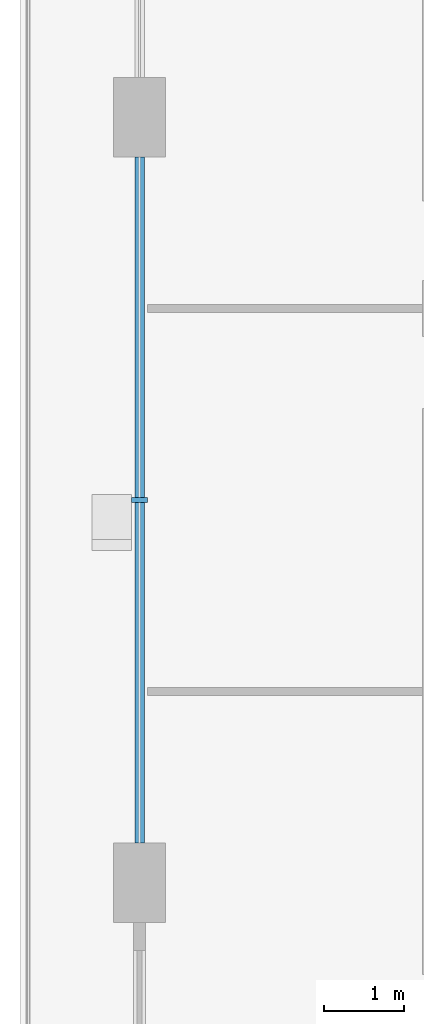
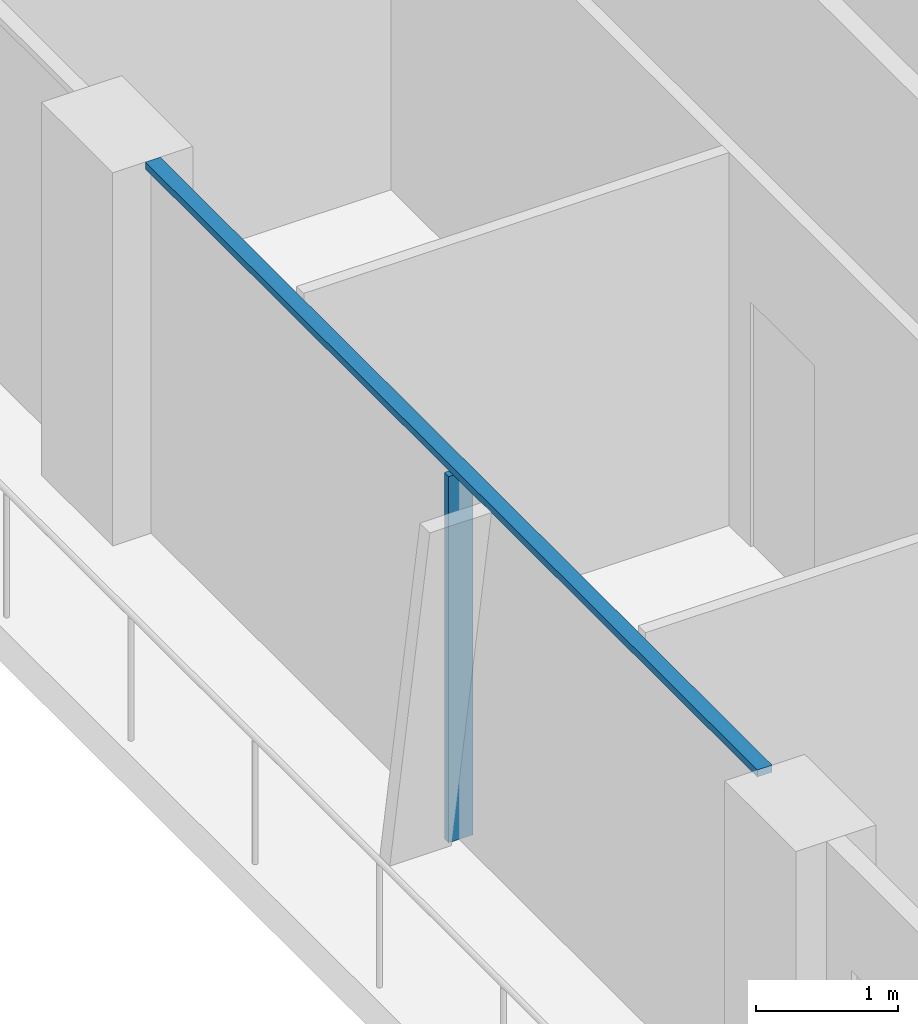
# One storey, part 3 of 23: 2 members, 1 element without a shape of its own.
"""IFC4 building model written with IfcOpenShell, lengths in metres."""

from ifc_helpers import new_model, si_unit, direction, frame, origin, origin_2d, place, context, subcontext, project, spatial, rectangle, extrude, material, layer, layer_set, material_profile, profile_set, type_object, element, aggregate, save


model = new_model("IFC4")

# Units and contexts
model_context = context("Model", 3, precision=1e-05, world=origin(), true_north=direction((0.0, 1.0)))
body_context = subcontext(model_context, "Body", "Model", "MODEL_VIEW")
ifc_project = project(units=[si_unit("LENGTHUNIT", "METRE"), si_unit("AREAUNIT", "SQUARE_METRE"), si_unit("VOLUMEUNIT", "CUBIC_METRE"), si_unit("PLANEANGLEUNIT", "RADIAN"), si_unit("MASSUNIT", "GRAM", prefix="KILO")], contexts=[model_context])

# Site, building, storey
site_placement = place(None, origin())
site = spatial("IfcSite", under=ifc_project, at=site_placement, CompositionType="ELEMENT")
building_placement = place(site_placement, origin())
building = spatial("IfcBuilding", under=site, at=building_placement, Name="Madar Terraces", CompositionType="ELEMENT")
storey_placement = place(building_placement, frame((0.0, 0.0, 226.300048828125)))
storey = spatial("IfcBuildingStorey", under=building, at=storey_placement, Name="L59", CompositionType="ELEMENT", Elevation=226.300048828125)

# Curtain wall, members
ifc_material_1 = material(Name="Glass, ceramic frit dark grey, with black aluminium frame", Category="aluminium")
ifc_layer = layer(ifc_material_1, 0.199951171875)
ifc_layer_set = layer_set([ifc_layer], Name="Facade curtain wall, fritted glass")
curtain_wall_type = type_object("IfcCurtainWallType", Name="Facade curtain wall, fritted glass", PredefinedType="NOTDEFINED", material=ifc_layer_set)
curtain_wall_placement = place(storey_placement, origin())
curtain_wall = element("IfcCurtainWall", 1, at=curtain_wall_placement, inside=storey, type_object=curtain_wall_type, Name="Outer skin curtain wall west bay 2", PredefinedType="NOTDEFINED")
ifc_material_2 = material(Name="Aluminium, black anodised", Category="aluminium")
ifc_material_profile_1 = material_profile(ifc_material_2, rectangle(XDim=0.199951171875, YDim=0.06005859375, at=origin_2d()), Name="Facade mullion 60x200")
ifc_profile_set_1 = profile_set([ifc_material_profile_1], Name="Aluminium, black anodised")
member_type_1 = type_object("IfcMemberType", Name="Facade mullion 60x200", PredefinedType="MULLION", material=ifc_profile_set_1)
member_1_placement = place(storey_placement, frame((4.800048828125, 33.60009765625, 0.0), z_axis=(0.0, 0.0, 1.0), x_axis=(1.0, 0.0, 0.0)))
member_1 = element("IfcMember", 2, at=member_1_placement, type_object=member_type_1, Name="Mullion 1", PredefinedType="MULLION", context=body_context, shape_type="SweptSolid", body=[
    extrude(rectangle(XDim=0.199951171875, YDim=0.06005859375, at=origin_2d()), origin(), (0.0, 0.0, 1.0), 3.139892578125),
])
ifc_material_3 = material(Name="Aluminium, black anodised", Category="aluminium")
ifc_material_profile_2 = material_profile(ifc_material_3, rectangle(XDim=0.1201171875, YDim=0.06005859375, at=origin_2d()), Name="Facade transom 60x120")
ifc_profile_set_2 = profile_set([ifc_material_profile_2], Name="Aluminium, black anodised")
member_type_2 = type_object("IfcMemberType", Name="Facade transom 60x120", PredefinedType="USERDEFINED", material=ifc_profile_set_2)
member_2_placement = place(storey_placement, frame((4.800048828125, 37.89990234375, 3.169921875), z_axis=(0.0, -1.0, 0.0), x_axis=(1.0, 0.0, 0.0)))
member_2 = element("IfcMember", 3, at=member_2_placement, type_object=member_type_2, Name="Transom 1", ObjectType="TRANSOM", PredefinedType="USERDEFINED", context=body_context, shape_type="SweptSolid", body=[
    extrude(rectangle(XDim=0.1201171875, YDim=0.06005859375, at=origin_2d()), origin(), (0.0, 0.0, 1.0), 8.599853515625),
])
aggregate(curtain_wall, [member_1, member_2])

save(model, "model.ifc")
